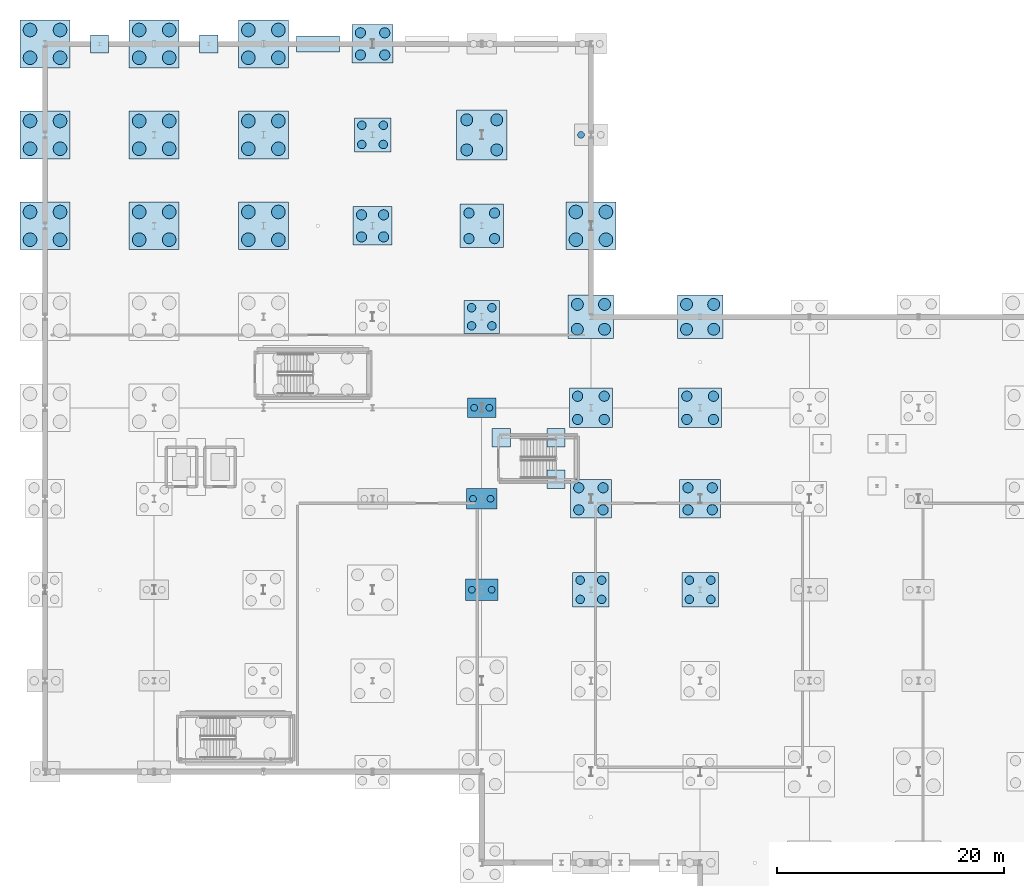
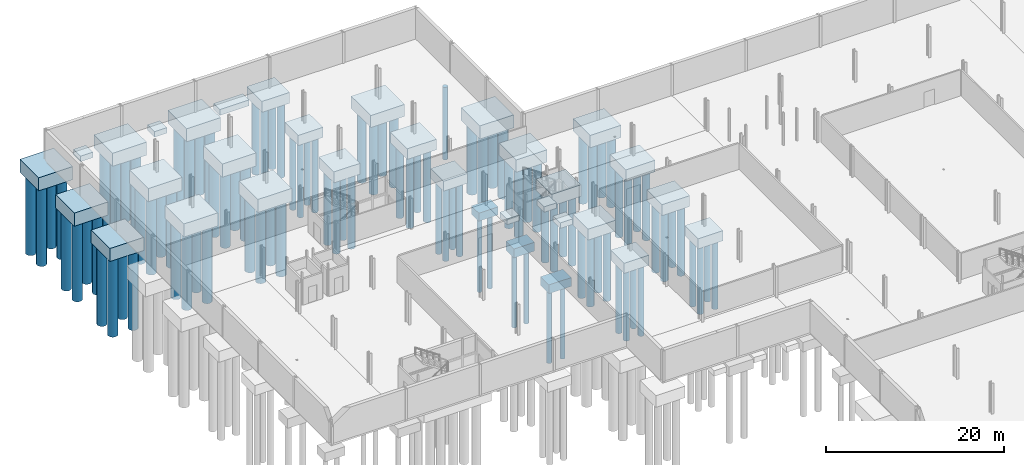
# One storey, part 4 of 47: 103 piles, 33 footings.
"""IFC4 building model written with IfcOpenShell, lengths in metres."""

from ifc_helpers import new_model, si_unit, direction, frame, origin, origin_2d, place, context, subcontext, project, spatial, rectangle, circle, extrude, material, material_profile, profile_set, type_object, element, save


model = new_model("IFC4")

# Units and contexts
model_context = context("Model", 3, precision=1e-05, world=origin(), true_north=direction((0.0, 1.0)))
body_context = subcontext(model_context, "Body", "Model", "MODEL_VIEW")
ifc_project = project(units=[si_unit("LENGTHUNIT", "METRE"), si_unit("AREAUNIT", "SQUARE_METRE"), si_unit("VOLUMEUNIT", "CUBIC_METRE"), si_unit("PLANEANGLEUNIT", "RADIAN"), si_unit("MASSUNIT", "GRAM", prefix="KILO")], contexts=[model_context])

# Site, building, storey
site_placement = place(None, origin())
site = spatial("IfcSite", under=ifc_project, at=site_placement, CompositionType="ELEMENT")
building_placement = place(site_placement, origin())
building = spatial("IfcBuilding", under=site, at=building_placement, Name="Alderhovde Museum", CompositionType="ELEMENT")
storey_placement = place(building_placement, frame((0.0, 0.0, -4.5)))
storey = spatial("IfcBuildingStorey", under=building, at=storey_placement, Name="B1", CompositionType="ELEMENT", Elevation=-4.5)

# Footings
ifc_material_1 = material(Name="Concrete C40/50", Category="concrete")
footing_type_1 = type_object("IfcFootingType", Name="PC-2500x1700x1100", PredefinedType="PILE_CAP", material=ifc_material_1)
footing_1_placement = place(storey_placement, frame((48.0, 80.0, -1.5), z_axis=(0.0, 0.0, 1.0), x_axis=(1.0, 0.0, 0.0)))
element("IfcFooting", 1, at=footing_1_placement, inside=storey, type_object=footing_type_1, Name="Pile Cap at (48.0, 80.0)", PredefinedType="PILE_CAP", context=body_context, shape_type="SweptSolid", body=[
    extrude(rectangle(XDim=2.5, YDim=1.699951171875, at=origin_2d()), origin(), (0.0, 0.0, 1.0), 1.10009765625),
])
ifc_material_2 = material(Name="Concrete C40/50", Category="concrete")
footing_type_2 = type_object("IfcFootingType", Name="PC-2700x1800x1200", PredefinedType="PILE_CAP", material=ifc_material_2)
footing_2_placement = place(storey_placement, frame((48.0, 72.0, -1.60009765625), z_axis=(0.0, 0.0, 1.0), x_axis=(1.0, 0.0, 0.0)))
element("IfcFooting", 2, at=footing_2_placement, inside=storey, type_object=footing_type_2, Name="Pile Cap at (48.0, 72.0)", PredefinedType="PILE_CAP", context=body_context, shape_type="SweptSolid", body=[
    extrude(rectangle(XDim=2.699951171875, YDim=1.800048828125, at=origin_2d()), origin(), (0.0, 0.0, 1.0), 1.199951171875),
])
ifc_material_3 = material(Name="Concrete C40/50", Category="concrete")
footing_type_3 = type_object("IfcFootingType", Name="PC-2900x1900x1200", PredefinedType="PILE_CAP", material=ifc_material_3)
footing_3_placement = place(storey_placement, frame((48.0, 64.0, -1.60009765625), z_axis=(0.0, 0.0, 1.0), x_axis=(1.0, 0.0, 0.0)))
element("IfcFooting", 3, at=footing_3_placement, inside=storey, type_object=footing_type_3, Name="Pile Cap at (48.0, 64.0)", PredefinedType="PILE_CAP", context=body_context, shape_type="SweptSolid", body=[
    extrude(rectangle(XDim=2.89990234375, YDim=1.89990234375, at=origin_2d()), origin(), (0.0, 0.0, 1.0), 1.199951171875),
])
ifc_material_4 = material(Name="Concrete C40/50", Category="concrete")
footing_type_4 = type_object("IfcFootingType", Name="PC-3100x2900x1350", PredefinedType="PILE_CAP", material=ifc_material_4)
footing_4_placement = place(storey_placement, frame((48.0, 88.0, -1.75), z_axis=(0.0, 0.0, 1.0), x_axis=(1.0, 0.0, 0.0)))
element("IfcFooting", 4, at=footing_4_placement, inside=storey, type_object=footing_type_4, Name="Pile Cap at (48.0, 88.0)", PredefinedType="PILE_CAP", context=body_context, shape_type="SweptSolid", body=[
    extrude(rectangle(XDim=3.10009765625, YDim=2.89990234375, at=origin_2d()), origin(), (0.0, 0.0, 1.0), 1.35009765625),
])
ifc_material_5 = material(Name="Concrete C40/50", Category="concrete")
footing_type_5 = type_object("IfcFootingType", Name="PC-3200x3000x1400", PredefinedType="PILE_CAP", material=ifc_material_5)
for number, where, z_axis, x_axis, name in (
    (5, (38.39990234375, 104.0, -1.800048828125), (0.0, 0.0, 1.0), (1.0, 0.0, 0.0), "Pile Cap at (38.4, 104.0)"),
    (6, (57.60009765625, 64.0, -1.800048828125), (0.0, 0.0, 1.0), (1.0, 0.0, 0.0), "Pile Cap at (57.6, 64.0)"),
    (7, (67.199951171875, 64.0, -1.800048828125), (0.0, 0.0, 1.0), (1.0, 0.0, 0.0), "Pile Cap at (67.2, 64.0)"),
):
    element("IfcFooting", number, at=place(storey_placement, frame(where, z_axis=z_axis, x_axis=x_axis)), inside=storey, type_object=footing_type_5, Name=name, PredefinedType="PILE_CAP", context=body_context, shape_type="SweptSolid", body=[
        extrude(rectangle(XDim=3.199951171875, YDim=3.0, at=origin_2d()), origin(), (0.0, 0.0, 1.0), 1.39990234375),
    ])
ifc_material_6 = material(Name="Concrete C40/50", Category="concrete")
footing_type_6 = type_object("IfcFootingType", Name="PC-3400x3400x1500", PredefinedType="PILE_CAP", material=ifc_material_6)
footing_5_placement = place(storey_placement, frame((38.39990234375, 96.0, -1.89990234375), z_axis=(0.0, 0.0, 1.0), x_axis=(1.0, 0.0, 0.0)))
element("IfcFooting", 8, at=footing_5_placement, inside=storey, type_object=footing_type_6, Name="Pile Cap at (38.4, 96.0)", PredefinedType="PILE_CAP", context=body_context, shape_type="SweptSolid", body=[
    extrude(rectangle(XDim=3.39990234375, YDim=3.39990234375, at=origin_2d()), origin(), (0.0, 0.0, 1.0), 1.5),
])
ifc_material_7 = material(Name="Concrete C40/50", Category="concrete")
footing_type_7 = type_object("IfcFootingType", Name="PC-3600x3400x1500", PredefinedType="PILE_CAP", material=ifc_material_7)
for number, where, z_axis, x_axis, name in (
    (9, (38.39990234375, 112.0, -1.89990234375), (0.0, 0.0, 1.0), (1.0, 0.0, 0.0), "Pile Cap at (38.4, 112.0)"),
    (10, (57.60009765625, 72.0, -1.89990234375), (0.0, 0.0, 1.0), (1.0, 0.0, 0.0), "Pile Cap at (57.6, 72.0)"),
    (11, (67.199951171875, 72.0, -1.89990234375), (0.0, 0.0, 1.0), (1.0, 0.0, 0.0), "Pile Cap at (67.2, 72.0)"),
):
    element("IfcFooting", number, at=place(storey_placement, frame(where, z_axis=z_axis, x_axis=x_axis)), inside=storey, type_object=footing_type_7, Name=name, PredefinedType="PILE_CAP", context=body_context, shape_type="SweptSolid", body=[
        extrude(rectangle(XDim=3.60009765625, YDim=3.39990234375, at=origin_2d()), origin(), (0.0, 0.0, 1.0), 1.5),
    ])
ifc_material_8 = material(Name="Concrete C40/50", Category="concrete")
footing_type_8 = type_object("IfcFootingType", Name="PC-3800x3500x1600", PredefinedType="PILE_CAP", material=ifc_material_8)
for number, where, z_axis, x_axis, name in (
    (12, (57.60009765625, 80.0, -2.0), (0.0, 0.0, 1.0), (1.0, 0.0, 0.0), "Pile Cap at (57.6, 80.0)"),
    (13, (67.199951171875, 80.0, -2.0), (0.0, 0.0, 1.0), (1.0, 0.0, 0.0), "Pile Cap at (67.2, 80.0)"),
):
    element("IfcFooting", number, at=place(storey_placement, frame(where, z_axis=z_axis, x_axis=x_axis)), inside=storey, type_object=footing_type_8, Name=name, PredefinedType="PILE_CAP", context=body_context, shape_type="SweptSolid", body=[
        extrude(rectangle(XDim=3.800048828125, YDim=3.5, at=origin_2d()), origin(), (0.0, 0.0, 1.0), 1.60009765625),
    ])
ifc_material_9 = material(Name="Concrete C40/50", Category="concrete")
footing_type_9 = type_object("IfcFootingType", Name="PC-3800x3800x1450", PredefinedType="PILE_CAP", material=ifc_material_9)
footing_6_placement = place(storey_placement, frame((48.0, 96.0, -1.85009765625), z_axis=(0.0, 0.0, 1.0), x_axis=(1.0, 0.0, 0.0)))
element("IfcFooting", 14, at=footing_6_placement, inside=storey, type_object=footing_type_9, Name="Pile Cap at (48.0, 96.0)", PredefinedType="PILE_CAP", context=body_context, shape_type="SweptSolid", body=[
    extrude(rectangle(XDim=3.800048828125, YDim=3.800048828125, at=origin_2d()), origin(), (0.0, 0.0, 1.0), 1.449951171875),
])
ifc_material_10 = material(Name="Concrete C40/50", Category="concrete")
footing_type_10 = type_object("IfcFootingType", Name="PC-4000x3800x1700", PredefinedType="PILE_CAP", material=ifc_material_10)
for number, where, z_axis, x_axis, name in (
    (15, (57.60009765625, 88.0, -2.10009765625), (0.0, 0.0, 1.0), (1.0, 0.0, 0.0), "Pile Cap at (57.6, 88.0)"),
    (16, (67.199951171875, 88.0, -2.10009765625), (0.0, 0.0, 1.0), (1.0, 0.0, 0.0), "Pile Cap at (67.2, 88.0)"),
):
    element("IfcFooting", number, at=place(storey_placement, frame(where, z_axis=z_axis, x_axis=x_axis)), inside=storey, type_object=footing_type_10, Name=name, PredefinedType="PILE_CAP", context=body_context, shape_type="SweptSolid", body=[
        extrude(rectangle(XDim=4.0, YDim=3.800048828125, at=origin_2d()), origin(), (0.0, 0.0, 1.0), 1.699951171875),
    ])
ifc_material_11 = material(Name="Concrete C40/50", Category="concrete")
footing_type_11 = type_object("IfcFootingType", Name="PC-4400x4200x1800", PredefinedType="PILE_CAP", material=ifc_material_11)
for number, where, z_axis, x_axis, name in (
    (17, (9.60009765625, 96.0, -2.2001953125), (0.0, 0.0, 1.0), (1.0, 0.0, 0.0), "Pile Cap at (9.6, 96.0)"),
    (18, (9.60009765625, 104.0, -2.2001953125), (0.0, 0.0, 1.0), (1.0, 0.0, 0.0), "Pile Cap at (9.6, 104.0)"),
    (19, (9.60009765625, 112.0, -2.2001953125), (0.0, 0.0, 1.0), (1.0, 0.0, 0.0), "Pile Cap at (9.6, 112.0)"),
    (20, (19.199951171875, 96.0, -2.2001953125), (0.0, 0.0, 1.0), (1.0, 0.0, 0.0), "Pile Cap at (19.2, 96.0)"),
    (21, (19.199951171875, 104.0, -2.2001953125), (0.0, 0.0, 1.0), (1.0, 0.0, 0.0), "Pile Cap at (19.2, 104.0)"),
    (22, (19.199951171875, 112.0, -2.2001953125), (0.0, 0.0, 1.0), (1.0, 0.0, 0.0), "Pile Cap at (19.2, 112.0)"),
    (23, (28.800048828125, 96.0, -2.2001953125), (0.0, 0.0, 1.0), (1.0, 0.0, 0.0), "Pile Cap at (28.8, 96.0)"),
    (24, (28.800048828125, 104.0, -2.2001953125), (0.0, 0.0, 1.0), (1.0, 0.0, 0.0), "Pile Cap at (28.8, 104.0)"),
    (25, (28.800048828125, 112.0, -2.2001953125), (0.0, 0.0, 1.0), (1.0, 0.0, 0.0), "Pile Cap at (28.8, 112.0)"),
    (26, (57.60009765625, 96.0, -2.2001953125), (0.0, 0.0, 1.0), (1.0, 0.0, 0.0), "Pile Cap at (57.6, 96.0)"),
):
    element("IfcFooting", number, at=place(storey_placement, frame(where, z_axis=z_axis, x_axis=x_axis)), inside=storey, type_object=footing_type_11, Name=name, PredefinedType="PILE_CAP", context=body_context, shape_type="SweptSolid", body=[
        extrude(rectangle(XDim=4.39990234375, YDim=4.199951171875, at=origin_2d()), origin(), (0.0, 0.0, 1.0), 1.800048828125),
    ])
ifc_material_12 = material(Name="Concrete C40/50", Category="concrete")
footing_type_12 = type_object("IfcFootingType", Name="PC-4400x4400x1650", PredefinedType="PILE_CAP", material=ifc_material_12)
footing_7_placement = place(storey_placement, frame((48.0, 104.0, -2.050048828125), z_axis=(0.0, 0.0, 1.0), x_axis=(1.0, 0.0, 0.0)))
element("IfcFooting", 27, at=footing_7_placement, inside=storey, type_object=footing_type_12, Name="Pile Cap at (48.0, 104.0)", PredefinedType="PILE_CAP", context=body_context, shape_type="SweptSolid", body=[
    extrude(rectangle(XDim=4.39990234375, YDim=4.39990234375, at=origin_2d()), origin(), (0.0, 0.0, 1.0), 1.64990234375),
])
ifc_material_13 = material(Name="Concrete C40/50", Category="concrete")
footing_type_13 = type_object("IfcFootingType", Name="PF-1600x1600x750", PredefinedType="PAD_FOOTING", material=ifc_material_13)
for number, where, z_axis, x_axis, name in (
    (28, (14.39990234375, 112.0, -1.14990234375), (0.0, 0.0, 1.0), (1.0, 0.0, 0.0), "Pilaster Pad Footing (14.4, 112.0)"),
    (29, (24.0, 112.0, -1.14990234375), (0.0, 0.0, 1.0), (1.0, 0.0, 0.0), "Pilaster Pad Footing (24.0, 112.0)"),
    (30, (49.719970703125, 77.360107421875, -1.14990234375), (0.0, 0.0, 1.0), (1.0, 0.0, 0.0), "Stair ST6 Shaft Footing 4"),
    (31, (54.52001953125, 73.719970703125, -1.14990234375), (0.0, 0.0, 1.0), (1.0, 0.0, 0.0), "Stair ST6 Shaft Footing 5"),
    (32, (54.52001953125, 77.360107421875, -1.14990234375), (0.0, 0.0, 1.0), (1.0, 0.0, 0.0), "Stair ST6 Shaft Footing 6"),
):
    element("IfcFooting", number, at=place(storey_placement, frame(where, z_axis=z_axis, x_axis=x_axis)), inside=storey, type_object=footing_type_13, Name=name, PredefinedType="PAD_FOOTING", context=body_context, shape_type="SweptSolid", body=[
        extrude(rectangle(XDim=1.60009765625, YDim=1.60009765625, at=origin_2d()), origin(), (0.0, 0.0, 1.0), 0.75),
    ])

# Piles
ifc_material_14 = material(Name="Concrete C40/50", Category="concrete")
ifc_material_profile_1 = material_profile(ifc_material_14, circle(Radius=0.52490234375, at=origin_2d()), Name="PILE-D1050")
ifc_profile_set_1 = profile_set([ifc_material_profile_1], Name="Concrete C40/50")
pile_type_1 = type_object("IfcPileType", Name="PIL-D1050", PredefinedType="BORED", material=ifc_profile_set_1)
for number, where, z_axis, x_axis, name in (
    (33, (46.679931640625, 102.679931640625, -1.949951171875), (0.0, 0.0, -1.0), (1.0, 0.0, 0.0), "Bored Pile PC-0480-1040-P1"),
    (34, (49.320068359375, 102.679931640625, -1.949951171875), (0.0, 0.0, -1.0), (1.0, 0.0, 0.0), "Bored Pile PC-0480-1040-P2"),
    (35, (46.679931640625, 105.320068359375, -1.949951171875), (0.0, 0.0, -1.0), (1.0, 0.0, 0.0), "Bored Pile PC-0480-1040-P3"),
    (36, (49.320068359375, 105.320068359375, -1.949951171875), (0.0, 0.0, -1.0), (1.0, 0.0, 0.0), "Bored Pile PC-0480-1040-P4"),
):
    element("IfcPile", number, at=place(storey_placement, frame(where, z_axis=z_axis, x_axis=x_axis)), inside=storey, type_object=pile_type_1, Name=name, PredefinedType="BORED", context=body_context, shape_type="SweptSolid", body=[
        extrude(circle(Radius=0.52490234375, at=origin_2d()), origin(), (0.0, 0.0, 1.0), 9.81396484375),
    ])
for number, where, z_axis, x_axis, name in (
    (37, (56.405029296875, 86.905029296875, -2.0), (0.0, 0.0, -1.0), (1.0, 0.0, 0.0), "Bored Pile PC-0576-0880-P1"),
    (38, (58.794921875, 86.905029296875, -2.0), (0.0, 0.0, -1.0), (1.0, 0.0, 0.0), "Bored Pile PC-0576-0880-P2"),
    (39, (56.405029296875, 89.094970703125, -2.0), (0.0, 0.0, -1.0), (1.0, 0.0, 0.0), "Bored Pile PC-0576-0880-P3"),
    (40, (58.794921875, 89.094970703125, -2.0), (0.0, 0.0, -1.0), (1.0, 0.0, 0.0), "Bored Pile PC-0576-0880-P4"),
    (41, (66.0048828125, 86.905029296875, -2.0), (0.0, 0.0, -1.0), (1.0, 0.0, 0.0), "Bored Pile PC-0672-0880-P1"),
    (42, (68.39501953125, 86.905029296875, -2.0), (0.0, 0.0, -1.0), (1.0, 0.0, 0.0), "Bored Pile PC-0672-0880-P2"),
    (43, (66.0048828125, 89.094970703125, -2.0), (0.0, 0.0, -1.0), (1.0, 0.0, 0.0), "Bored Pile PC-0672-0880-P3"),
    (44, (68.39501953125, 89.094970703125, -2.0), (0.0, 0.0, -1.0), (1.0, 0.0, 0.0), "Bored Pile PC-0672-0880-P4"),
):
    element("IfcPile", number, at=place(storey_placement, frame(where, z_axis=z_axis, x_axis=x_axis)), inside=storey, type_object=pile_type_1, Name=name, PredefinedType="BORED", context=body_context, shape_type="SweptSolid", body=[
        extrude(circle(Radius=0.52490234375, at=origin_2d()), origin(), (0.0, 0.0, 1.0), 9.574951171875),
    ])
ifc_material_15 = material(Name="Concrete C40/50", Category="concrete")
ifc_material_profile_2 = material_profile(ifc_material_15, circle(Radius=0.60009765625, at=origin_2d()), Name="PILE-D1200")
ifc_profile_set_2 = profile_set([ifc_material_profile_2], Name="Concrete C40/50")
pile_type_2 = type_object("IfcPileType", Name="PIL-D1200", PredefinedType="BORED", material=ifc_profile_set_2)
for number, where, z_axis, x_axis, name in (
    (45, (8.280029296875, 94.780029296875, -2.10009765625), (0.0, 0.0, -1.0), (1.0, 0.0, 0.0), "Bored Pile PC-0096-0960-P1"),
    (46, (10.919921875, 94.780029296875, -2.10009765625), (0.0, 0.0, -1.0), (1.0, 0.0, 0.0), "Bored Pile PC-0096-0960-P2"),
    (47, (8.280029296875, 97.219970703125, -2.10009765625), (0.0, 0.0, -1.0), (1.0, 0.0, 0.0), "Bored Pile PC-0096-0960-P3"),
    (48, (10.919921875, 97.219970703125, -2.10009765625), (0.0, 0.0, -1.0), (1.0, 0.0, 0.0), "Bored Pile PC-0096-0960-P4"),
    (49, (8.280029296875, 102.780029296875, -2.10009765625), (0.0, 0.0, -1.0), (1.0, 0.0, 0.0), "Bored Pile PC-0096-1040-P1"),
    (50, (10.919921875, 102.780029296875, -2.10009765625), (0.0, 0.0, -1.0), (1.0, 0.0, 0.0), "Bored Pile PC-0096-1040-P2"),
    (51, (8.280029296875, 105.219970703125, -2.10009765625), (0.0, 0.0, -1.0), (1.0, 0.0, 0.0), "Bored Pile PC-0096-1040-P3"),
    (52, (10.919921875, 105.219970703125, -2.10009765625), (0.0, 0.0, -1.0), (1.0, 0.0, 0.0), "Bored Pile PC-0096-1040-P4"),
    (53, (8.280029296875, 110.780029296875, -2.10009765625), (0.0, 0.0, -1.0), (1.0, 0.0, 0.0), "Bored Pile PC-0096-1120-P1"),
    (54, (10.919921875, 110.780029296875, -2.10009765625), (0.0, 0.0, -1.0), (1.0, 0.0, 0.0), "Bored Pile PC-0096-1120-P2"),
    (55, (8.280029296875, 113.219970703125, -2.10009765625), (0.0, 0.0, -1.0), (1.0, 0.0, 0.0), "Bored Pile PC-0096-1120-P3"),
    (56, (10.919921875, 113.219970703125, -2.10009765625), (0.0, 0.0, -1.0), (1.0, 0.0, 0.0), "Bored Pile PC-0096-1120-P4"),
):
    element("IfcPile", number, at=place(storey_placement, frame(where, z_axis=z_axis, x_axis=x_axis)), inside=storey, type_object=pile_type_2, Name=name, PredefinedType="BORED", context=body_context, shape_type="SweptSolid", body=[
        extrude(circle(Radius=0.60009765625, at=origin_2d()), origin(), (0.0, 0.0, 1.0), 10.89306640625),
    ])
for number, where, z_axis, x_axis, name in (
    (57, (17.8798828125, 94.780029296875, -2.10009765625), (0.0, 0.0, -1.0), (1.0, 0.0, 0.0), "Bored Pile PC-0192-0960-P1"),
    (58, (20.52001953125, 94.780029296875, -2.10009765625), (0.0, 0.0, -1.0), (1.0, 0.0, 0.0), "Bored Pile PC-0192-0960-P2"),
    (59, (17.8798828125, 97.219970703125, -2.10009765625), (0.0, 0.0, -1.0), (1.0, 0.0, 0.0), "Bored Pile PC-0192-0960-P3"),
    (60, (20.52001953125, 97.219970703125, -2.10009765625), (0.0, 0.0, -1.0), (1.0, 0.0, 0.0), "Bored Pile PC-0192-0960-P4"),
    (61, (17.8798828125, 102.780029296875, -2.10009765625), (0.0, 0.0, -1.0), (1.0, 0.0, 0.0), "Bored Pile PC-0192-1040-P1"),
    (62, (20.52001953125, 102.780029296875, -2.10009765625), (0.0, 0.0, -1.0), (1.0, 0.0, 0.0), "Bored Pile PC-0192-1040-P2"),
    (63, (17.8798828125, 105.219970703125, -2.10009765625), (0.0, 0.0, -1.0), (1.0, 0.0, 0.0), "Bored Pile PC-0192-1040-P3"),
    (64, (20.52001953125, 105.219970703125, -2.10009765625), (0.0, 0.0, -1.0), (1.0, 0.0, 0.0), "Bored Pile PC-0192-1040-P4"),
    (65, (17.8798828125, 110.780029296875, -2.10009765625), (0.0, 0.0, -1.0), (1.0, 0.0, 0.0), "Bored Pile PC-0192-1120-P1"),
    (66, (20.52001953125, 110.780029296875, -2.10009765625), (0.0, 0.0, -1.0), (1.0, 0.0, 0.0), "Bored Pile PC-0192-1120-P2"),
    (67, (17.8798828125, 113.219970703125, -2.10009765625), (0.0, 0.0, -1.0), (1.0, 0.0, 0.0), "Bored Pile PC-0192-1120-P3"),
    (68, (20.52001953125, 113.219970703125, -2.10009765625), (0.0, 0.0, -1.0), (1.0, 0.0, 0.0), "Bored Pile PC-0192-1120-P4"),
):
    element("IfcPile", number, at=place(storey_placement, frame(where, z_axis=z_axis, x_axis=x_axis)), inside=storey, type_object=pile_type_2, Name=name, PredefinedType="BORED", context=body_context, shape_type="SweptSolid", body=[
        extrude(circle(Radius=0.60009765625, at=origin_2d()), origin(), (0.0, 0.0, 1.0), 10.5859375),
    ])
for number, where, z_axis, x_axis, name in (
    (69, (27.47998046875, 94.780029296875, -2.10009765625), (0.0, 0.0, -1.0), (1.0, 0.0, 0.0), "Bored Pile PC-0288-0960-P1"),
    (70, (30.1201171875, 94.780029296875, -2.10009765625), (0.0, 0.0, -1.0), (1.0, 0.0, 0.0), "Bored Pile PC-0288-0960-P2"),
    (71, (27.47998046875, 97.219970703125, -2.10009765625), (0.0, 0.0, -1.0), (1.0, 0.0, 0.0), "Bored Pile PC-0288-0960-P3"),
    (72, (30.1201171875, 97.219970703125, -2.10009765625), (0.0, 0.0, -1.0), (1.0, 0.0, 0.0), "Bored Pile PC-0288-0960-P4"),
    (73, (27.47998046875, 102.780029296875, -2.10009765625), (0.0, 0.0, -1.0), (1.0, 0.0, 0.0), "Bored Pile PC-0288-1040-P1"),
    (74, (30.1201171875, 102.780029296875, -2.10009765625), (0.0, 0.0, -1.0), (1.0, 0.0, 0.0), "Bored Pile PC-0288-1040-P2"),
    (75, (27.47998046875, 105.219970703125, -2.10009765625), (0.0, 0.0, -1.0), (1.0, 0.0, 0.0), "Bored Pile PC-0288-1040-P3"),
    (76, (30.1201171875, 105.219970703125, -2.10009765625), (0.0, 0.0, -1.0), (1.0, 0.0, 0.0), "Bored Pile PC-0288-1040-P4"),
    (77, (27.47998046875, 110.780029296875, -2.10009765625), (0.0, 0.0, -1.0), (1.0, 0.0, 0.0), "Bored Pile PC-0288-1120-P1"),
    (78, (30.1201171875, 110.780029296875, -2.10009765625), (0.0, 0.0, -1.0), (1.0, 0.0, 0.0), "Bored Pile PC-0288-1120-P2"),
    (79, (27.47998046875, 113.219970703125, -2.10009765625), (0.0, 0.0, -1.0), (1.0, 0.0, 0.0), "Bored Pile PC-0288-1120-P3"),
    (80, (30.1201171875, 113.219970703125, -2.10009765625), (0.0, 0.0, -1.0), (1.0, 0.0, 0.0), "Bored Pile PC-0288-1120-P4"),
):
    element("IfcPile", number, at=place(storey_placement, frame(where, z_axis=z_axis, x_axis=x_axis)), inside=storey, type_object=pile_type_2, Name=name, PredefinedType="BORED", context=body_context, shape_type="SweptSolid", body=[
        extrude(circle(Radius=0.60009765625, at=origin_2d()), origin(), (0.0, 0.0, 1.0), 10.278076171875),
    ])
for number, where, z_axis, x_axis, name in (
    (81, (56.280029296875, 94.780029296875, -2.10009765625), (0.0, 0.0, -1.0), (1.0, 0.0, 0.0), "Bored Pile PC-0576-0960-P1"),
    (82, (58.919921875, 94.780029296875, -2.10009765625), (0.0, 0.0, -1.0), (1.0, 0.0, 0.0), "Bored Pile PC-0576-0960-P2"),
    (83, (56.280029296875, 97.219970703125, -2.10009765625), (0.0, 0.0, -1.0), (1.0, 0.0, 0.0), "Bored Pile PC-0576-0960-P3"),
    (84, (58.919921875, 97.219970703125, -2.10009765625), (0.0, 0.0, -1.0), (1.0, 0.0, 0.0), "Bored Pile PC-0576-0960-P4"),
):
    element("IfcPile", number, at=place(storey_placement, frame(where, z_axis=z_axis, x_axis=x_axis)), inside=storey, type_object=pile_type_2, Name=name, PredefinedType="BORED", context=body_context, shape_type="SweptSolid", body=[
        extrude(circle(Radius=0.60009765625, at=origin_2d()), origin(), (0.0, 0.0, 1.0), 9.699951171875),
    ])
ifc_material_16 = material(Name="Concrete C40/50", Category="concrete")
ifc_material_profile_3 = material_profile(ifc_material_16, circle(Radius=0.300048828125, at=origin_2d()), Name="PILE-D600")
ifc_profile_set_3 = profile_set([ifc_material_profile_3], Name="Concrete C40/50")
pile_type_3 = type_object("IfcPileType", Name="PIL-D600", PredefinedType="BORED", material=ifc_profile_set_3)
for number, where, z_axis, x_axis, name in (
    (85, (47.1298828125, 64.0, -1.5), (0.0, 0.0, -1.0), (1.0, 0.0, 0.0), "Bored Pile PC-0480-0640-P1"),
    (86, (48.8701171875, 64.0, -1.5), (0.0, 0.0, -1.0), (1.0, 0.0, 0.0), "Bored Pile PC-0480-0640-P2"),
    (87, (47.22998046875, 72.0, -1.5), (0.0, 0.0, -1.0), (1.0, 0.0, 0.0), "Bored Pile PC-0480-0720-P1"),
    (88, (48.77001953125, 72.0, -1.5), (0.0, 0.0, -1.0), (1.0, 0.0, 0.0), "Bored Pile PC-0480-0720-P2"),
):
    element("IfcPile", number, at=place(storey_placement, frame(where, z_axis=z_axis, x_axis=x_axis)), inside=storey, type_object=pile_type_3, Name=name, PredefinedType="BORED", context=body_context, shape_type="SweptSolid", body=[
        extrude(circle(Radius=0.300048828125, at=origin_2d()), origin(), (0.0, 0.0, 1.0), 10.263916015625),
    ])
for number, where, z_axis, x_axis, name in (
    (89, (47.330078125, 80.0, -1.39990234375), (0.0, 0.0, -1.0), (1.0, 0.0, 0.0), "Bored Pile PC-0480-0800-P1"),
    (90, (48.669921875, 80.0, -1.39990234375), (0.0, 0.0, -1.0), (1.0, 0.0, 0.0), "Bored Pile PC-0480-0800-P2"),
):
    element("IfcPile", number, at=place(storey_placement, frame(where, z_axis=z_axis, x_axis=x_axis)), inside=storey, type_object=pile_type_3, Name=name, PredefinedType="BORED", context=body_context, shape_type="SweptSolid", body=[
        extrude(circle(Radius=0.300048828125, at=origin_2d()), origin(), (0.0, 0.0, 1.0), 10.364013671875),
    ])
pile_placement = place(storey_placement, frame((56.72998046875, 104.0, -1.5), z_axis=(0.0, 0.0, -1.0), x_axis=(1.0, 0.0, 0.0)))
element("IfcPile", 91, at=pile_placement, inside=storey, type_object=pile_type_3, Name="Bored Pile PC-0576-1040-P1", PredefinedType="BORED", context=body_context, shape_type="SweptSolid", body=[
    extrude(circle(Radius=0.300048828125, at=origin_2d()), origin(), (0.0, 0.0, 1.0), 9.95703125),
])
ifc_material_17 = material(Name="Concrete C40/50", Category="concrete")
ifc_material_profile_4 = material_profile(ifc_material_17, circle(Radius=0.375, at=origin_2d()), Name="PILE-D750")
ifc_profile_set_4 = profile_set([ifc_material_profile_4], Name="Concrete C40/50")
pile_type_4 = type_object("IfcPileType", Name="PIL-D750", PredefinedType="BORED", material=ifc_profile_set_4)
for number, where, z_axis, x_axis, name in (
    (92, (37.455078125, 103.155029296875, -1.699951171875), (0.0, 0.0, -1.0), (1.0, 0.0, 0.0), "Bored Pile PC-0384-1040-P1"),
    (93, (39.344970703125, 103.155029296875, -1.699951171875), (0.0, 0.0, -1.0), (1.0, 0.0, 0.0), "Bored Pile PC-0384-1040-P2"),
    (94, (37.455078125, 104.844970703125, -1.699951171875), (0.0, 0.0, -1.0), (1.0, 0.0, 0.0), "Bored Pile PC-0384-1040-P3"),
    (95, (39.344970703125, 104.844970703125, -1.699951171875), (0.0, 0.0, -1.0), (1.0, 0.0, 0.0), "Bored Pile PC-0384-1040-P4"),
):
    element("IfcPile", number, at=place(storey_placement, frame(where, z_axis=z_axis, x_axis=x_axis)), inside=storey, type_object=pile_type_4, Name=name, PredefinedType="BORED", context=body_context, shape_type="SweptSolid", body=[
        extrude(circle(Radius=0.375, at=origin_2d()), origin(), (0.0, 0.0, 1.0), 10.37109375),
    ])
for number, where, z_axis, x_axis, name in (
    (96, (47.10498046875, 87.205078125, -1.64990234375), (0.0, 0.0, -1.0), (1.0, 0.0, 0.0), "Bored Pile PC-0480-0880-P1"),
    (97, (48.89501953125, 87.205078125, -1.64990234375), (0.0, 0.0, -1.0), (1.0, 0.0, 0.0), "Bored Pile PC-0480-0880-P2"),
    (98, (47.10498046875, 88.794921875, -1.64990234375), (0.0, 0.0, -1.0), (1.0, 0.0, 0.0), "Bored Pile PC-0480-0880-P3"),
    (99, (48.89501953125, 88.794921875, -1.64990234375), (0.0, 0.0, -1.0), (1.0, 0.0, 0.0), "Bored Pile PC-0480-0880-P4"),
):
    element("IfcPile", number, at=place(storey_placement, frame(where, z_axis=z_axis, x_axis=x_axis)), inside=storey, type_object=pile_type_4, Name=name, PredefinedType="BORED", context=body_context, shape_type="SweptSolid", body=[
        extrude(circle(Radius=0.375, at=origin_2d()), origin(), (0.0, 0.0, 1.0), 10.114013671875),
    ])
for number, where, z_axis, x_axis, name in (
    (100, (56.655029296875, 63.155029296875, -1.699951171875), (0.0, 0.0, -1.0), (1.0, 0.0, 0.0), "Bored Pile PC-0576-0640-P1"),
    (101, (58.544921875, 63.155029296875, -1.699951171875), (0.0, 0.0, -1.0), (1.0, 0.0, 0.0), "Bored Pile PC-0576-0640-P2"),
    (102, (56.655029296875, 64.844970703125, -1.699951171875), (0.0, 0.0, -1.0), (1.0, 0.0, 0.0), "Bored Pile PC-0576-0640-P3"),
    (103, (58.544921875, 64.844970703125, -1.699951171875), (0.0, 0.0, -1.0), (1.0, 0.0, 0.0), "Bored Pile PC-0576-0640-P4"),
):
    element("IfcPile", number, at=place(storey_placement, frame(where, z_axis=z_axis, x_axis=x_axis)), inside=storey, type_object=pile_type_4, Name=name, PredefinedType="BORED", context=body_context, shape_type="SweptSolid", body=[
        extrude(circle(Radius=0.375, at=origin_2d()), origin(), (0.0, 0.0, 1.0), 9.757080078125),
    ])
for number, where, z_axis, x_axis, name in (
    (104, (66.2548828125, 63.155029296875, -1.699951171875), (0.0, 0.0, -1.0), (1.0, 0.0, 0.0), "Bored Pile PC-0672-0640-P1"),
    (105, (68.14501953125, 63.155029296875, -1.699951171875), (0.0, 0.0, -1.0), (1.0, 0.0, 0.0), "Bored Pile PC-0672-0640-P2"),
    (106, (66.2548828125, 64.844970703125, -1.699951171875), (0.0, 0.0, -1.0), (1.0, 0.0, 0.0), "Bored Pile PC-0672-0640-P3"),
    (107, (68.14501953125, 64.844970703125, -1.699951171875), (0.0, 0.0, -1.0), (1.0, 0.0, 0.0), "Bored Pile PC-0672-0640-P4"),
):
    element("IfcPile", number, at=place(storey_placement, frame(where, z_axis=z_axis, x_axis=x_axis)), inside=storey, type_object=pile_type_4, Name=name, PredefinedType="BORED", context=body_context, shape_type="SweptSolid", body=[
        extrude(circle(Radius=0.375, at=origin_2d()), origin(), (0.0, 0.0, 1.0), 9.449951171875),
    ])
ifc_material_18 = material(Name="Concrete C40/50", Category="concrete")
ifc_material_profile_5 = material_profile(ifc_material_18, circle(Radius=0.449951171875, at=origin_2d()), Name="PILE-D900")
ifc_profile_set_5 = profile_set([ifc_material_profile_5], Name="Concrete C40/50")
pile_type_5 = type_object("IfcPileType", Name="PIL-D900", PredefinedType="BORED", material=ifc_profile_set_5)
for number, where, z_axis, x_axis, name in (
    (108, (37.429931640625, 95.030029296875, -1.800048828125), (0.0, 0.0, -1.0), (1.0, 0.0, 0.0), "Bored Pile PC-0384-0960-P1"),
    (109, (39.3701171875, 95.030029296875, -1.800048828125), (0.0, 0.0, -1.0), (1.0, 0.0, 0.0), "Bored Pile PC-0384-0960-P2"),
    (110, (37.429931640625, 96.969970703125, -1.800048828125), (0.0, 0.0, -1.0), (1.0, 0.0, 0.0), "Bored Pile PC-0384-0960-P3"),
    (111, (39.3701171875, 96.969970703125, -1.800048828125), (0.0, 0.0, -1.0), (1.0, 0.0, 0.0), "Bored Pile PC-0384-0960-P4"),
    (112, (37.330078125, 111.030029296875, -1.800048828125), (0.0, 0.0, -1.0), (1.0, 0.0, 0.0), "Bored Pile PC-0384-1120-P1"),
    (113, (39.469970703125, 111.030029296875, -1.800048828125), (0.0, 0.0, -1.0), (1.0, 0.0, 0.0), "Bored Pile PC-0384-1120-P2"),
    (114, (37.330078125, 112.969970703125, -1.800048828125), (0.0, 0.0, -1.0), (1.0, 0.0, 0.0), "Bored Pile PC-0384-1120-P3"),
    (115, (39.469970703125, 112.969970703125, -1.800048828125), (0.0, 0.0, -1.0), (1.0, 0.0, 0.0), "Bored Pile PC-0384-1120-P4"),
):
    element("IfcPile", number, at=place(storey_placement, frame(where, z_axis=z_axis, x_axis=x_axis)), inside=storey, type_object=pile_type_5, Name=name, PredefinedType="BORED", context=body_context, shape_type="SweptSolid", body=[
        extrude(circle(Radius=0.449951171875, at=origin_2d()), origin(), (0.0, 0.0, 1.0), 10.27099609375),
    ])
for number, where, z_axis, x_axis, name in (
    (116, (46.875, 94.875, -1.75), (0.0, 0.0, -1.0), (1.0, 0.0, 0.0), "Bored Pile PC-0480-0960-P1"),
    (117, (49.125, 94.875, -1.75), (0.0, 0.0, -1.0), (1.0, 0.0, 0.0), "Bored Pile PC-0480-0960-P2"),
    (118, (46.875, 97.125, -1.75), (0.0, 0.0, -1.0), (1.0, 0.0, 0.0), "Bored Pile PC-0480-0960-P3"),
    (119, (49.125, 97.125, -1.75), (0.0, 0.0, -1.0), (1.0, 0.0, 0.0), "Bored Pile PC-0480-0960-P4"),
):
    element("IfcPile", number, at=place(storey_placement, frame(where, z_axis=z_axis, x_axis=x_axis)), inside=storey, type_object=pile_type_5, Name=name, PredefinedType="BORED", context=body_context, shape_type="SweptSolid", body=[
        extrude(circle(Radius=0.449951171875, at=origin_2d()), origin(), (0.0, 0.0, 1.0), 10.013916015625),
    ])
for number, where, z_axis, x_axis, name in (
    (120, (56.530029296875, 71.030029296875, -1.800048828125), (0.0, 0.0, -1.0), (1.0, 0.0, 0.0), "Bored Pile PC-0576-0720-P1"),
    (121, (58.669921875, 71.030029296875, -1.800048828125), (0.0, 0.0, -1.0), (1.0, 0.0, 0.0), "Bored Pile PC-0576-0720-P2"),
    (122, (56.530029296875, 72.969970703125, -1.800048828125), (0.0, 0.0, -1.0), (1.0, 0.0, 0.0), "Bored Pile PC-0576-0720-P3"),
    (123, (58.669921875, 72.969970703125, -1.800048828125), (0.0, 0.0, -1.0), (1.0, 0.0, 0.0), "Bored Pile PC-0576-0720-P4"),
):
    element("IfcPile", number, at=place(storey_placement, frame(where, z_axis=z_axis, x_axis=x_axis)), inside=storey, type_object=pile_type_5, Name=name, PredefinedType="BORED", context=body_context, shape_type="SweptSolid", body=[
        extrude(circle(Radius=0.449951171875, at=origin_2d()), origin(), (0.0, 0.0, 1.0), 9.656982421875),
    ])
for number, where, z_axis, x_axis, name in (
    (124, (56.429931640625, 78.97998046875, -1.89990234375), (0.0, 0.0, -1.0), (1.0, 0.0, 0.0), "Bored Pile PC-0576-0800-P1"),
    (125, (58.77001953125, 78.97998046875, -1.89990234375), (0.0, 0.0, -1.0), (1.0, 0.0, 0.0), "Bored Pile PC-0576-0800-P2"),
    (126, (56.429931640625, 81.02001953125, -1.89990234375), (0.0, 0.0, -1.0), (1.0, 0.0, 0.0), "Bored Pile PC-0576-0800-P3"),
    (127, (58.77001953125, 81.02001953125, -1.89990234375), (0.0, 0.0, -1.0), (1.0, 0.0, 0.0), "Bored Pile PC-0576-0800-P4"),
):
    element("IfcPile", number, at=place(storey_placement, frame(where, z_axis=z_axis, x_axis=x_axis)), inside=storey, type_object=pile_type_5, Name=name, PredefinedType="BORED", context=body_context, shape_type="SweptSolid", body=[
        extrude(circle(Radius=0.449951171875, at=origin_2d()), origin(), (0.0, 0.0, 1.0), 9.556884765625),
    ])
for number, where, z_axis, x_axis, name in (
    (128, (66.1298828125, 71.030029296875, -1.800048828125), (0.0, 0.0, -1.0), (1.0, 0.0, 0.0), "Bored Pile PC-0672-0720-P1"),
    (129, (68.27001953125, 71.030029296875, -1.800048828125), (0.0, 0.0, -1.0), (1.0, 0.0, 0.0), "Bored Pile PC-0672-0720-P2"),
    (130, (66.1298828125, 72.969970703125, -1.800048828125), (0.0, 0.0, -1.0), (1.0, 0.0, 0.0), "Bored Pile PC-0672-0720-P3"),
    (131, (68.27001953125, 72.969970703125, -1.800048828125), (0.0, 0.0, -1.0), (1.0, 0.0, 0.0), "Bored Pile PC-0672-0720-P4"),
):
    element("IfcPile", number, at=place(storey_placement, frame(where, z_axis=z_axis, x_axis=x_axis)), inside=storey, type_object=pile_type_5, Name=name, PredefinedType="BORED", context=body_context, shape_type="SweptSolid", body=[
        extrude(circle(Radius=0.449951171875, at=origin_2d()), origin(), (0.0, 0.0, 1.0), 9.550048828125),
    ])
for number, where, z_axis, x_axis, name in (
    (132, (66.030029296875, 78.97998046875, -1.89990234375), (0.0, 0.0, -1.0), (1.0, 0.0, 0.0), "Bored Pile PC-0672-0800-P1"),
    (133, (68.3701171875, 78.97998046875, -1.89990234375), (0.0, 0.0, -1.0), (1.0, 0.0, 0.0), "Bored Pile PC-0672-0800-P2"),
    (134, (66.030029296875, 81.02001953125, -1.89990234375), (0.0, 0.0, -1.0), (1.0, 0.0, 0.0), "Bored Pile PC-0672-0800-P3"),
    (135, (68.3701171875, 81.02001953125, -1.89990234375), (0.0, 0.0, -1.0), (1.0, 0.0, 0.0), "Bored Pile PC-0672-0800-P4"),
):
    element("IfcPile", number, at=place(storey_placement, frame(where, z_axis=z_axis, x_axis=x_axis)), inside=storey, type_object=pile_type_5, Name=name, PredefinedType="BORED", context=body_context, shape_type="SweptSolid", body=[
        extrude(circle(Radius=0.449951171875, at=origin_2d()), origin(), (0.0, 0.0, 1.0), 9.449951171875),
    ])

# Footing
ifc_material_19 = material(Name="Concrete C40/50", Category="concrete")
footing_type_14 = type_object("IfcFootingType", Name="SF-RET-1400x800", PredefinedType="STRIP_FOOTING", material=ifc_material_19)
footing_8_placement = place(storey_placement, frame((33.60009765625, 112.0, -1.2001953125), z_axis=(0.0, 0.0, 1.0), x_axis=(1.0, 0.0, 0.0)))
element("IfcFooting", 136, at=footing_8_placement, inside=storey, type_object=footing_type_14, Name="Retaining Strip Footing SF-B1-N1", PredefinedType="STRIP_FOOTING", context=body_context, shape_type="SweptSolid", body=[
    extrude(rectangle(XDim=3.800048828125, YDim=1.39990234375, at=origin_2d()), origin(), (0.0, 0.0, 1.0), 0.800048828125),
])

save(model, "model.ifc")
